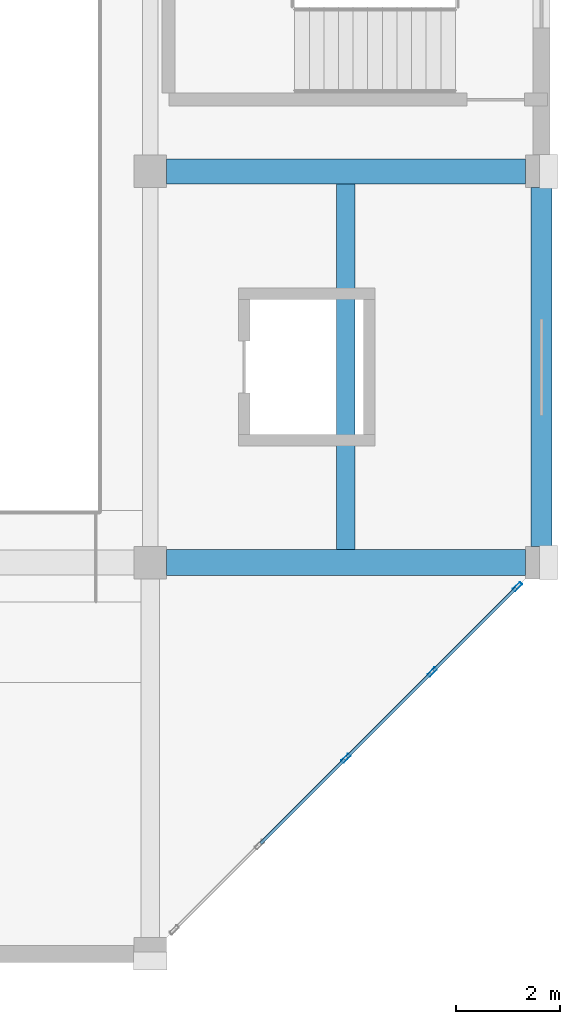
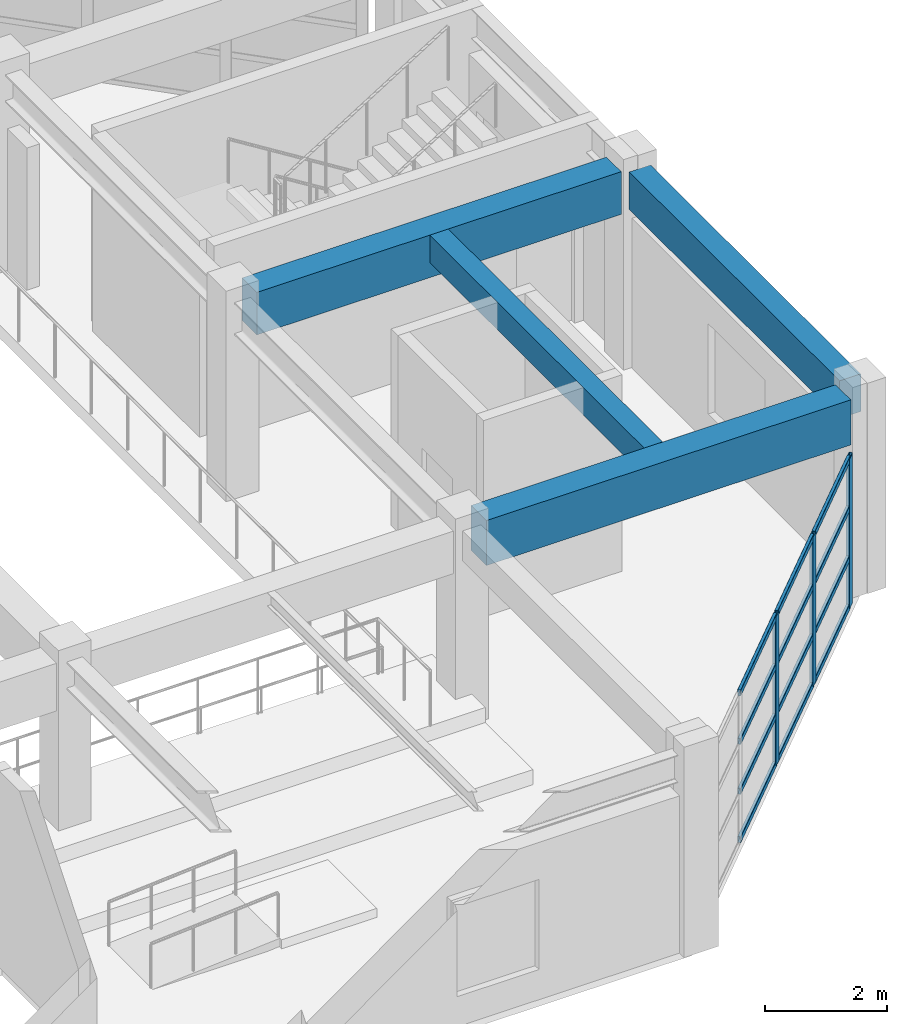
# One storey, part 71 of 132: 15 members, 4 beams, 1 element without a shape of its own.
"""IFC4 building model written with IfcOpenShell, lengths in metres."""

import ifcopenshell
import ifcopenshell.guid

model = None  # the IFC model being written
_history = None  # IfcOwnerHistory: only IFC2X3 demands one
_inside = {}  # id of a spatial element -> (the spatial element, [elements in it])
_under = {}  # id of a project, library or spatial element -> (it, [spatial elements below it])
_declared = {}  # id of a project -> (the project, [libraries it declares])
_typed = {}  # id of a type object -> (the type object, [elements of that type])
_made_of = {}  # id of a material, layer set ... -> (it, [elements and type objects made of it])


def new_model(schema):
    """Start an empty IFC model of exactly this schema.

    Asked for "IFC4X3", IfcOpenShell would pick the latest addendum, in which some entities
    have other attributes; the version numbers below select the first issue.
    IFC2X3 requires an IfcOwnerHistory on every rooted entity: one is made here for all.
    """
    global model, _history
    if schema == "IFC4X3":
        model = ifcopenshell.file(schema_version=(4, 3, 0, 0))
    else:
        model = ifcopenshell.file(schema=schema)
    _inside.clear()
    _under.clear()
    _declared.clear()
    _typed.clear()
    _made_of.clear()
    _history = None
    if model.schema == "IFC2X3":
        org = make("IfcOrganization", Name="unknown")
        user = make(
            "IfcPersonAndOrganization",
            ThePerson=make("IfcPerson", FamilyName="unknown"),
            TheOrganization=org,
        )
        app = make(
            "IfcApplication",
            ApplicationDeveloper=org,
            Version="unknown",
            ApplicationFullName="unknown",
            ApplicationIdentifier="unknown",
        )
        _history = make(
            "IfcOwnerHistory",
            OwningUser=user,
            OwningApplication=app,
            ChangeAction="ADDED",
            CreationDate=0,
        )
    return model


def make(cls, **values):
    """One entity of the class cls with the attributes given. An attribute that is None is left unset."""
    return model.create_entity(
        cls, **{name: value for name, value in values.items() if value is not None}
    )


def rooted(cls, **values):
    """An entity with a GlobalId (a new one), such as an element, a storey or a relation."""
    return make(cls, GlobalId=ifcopenshell.guid.new(), OwnerHistory=_history, **values)


def si_unit(unit_type, name, prefix=None):
    """IfcSIUnit, for example si_unit("LENGTHUNIT", "METRE", prefix="MILLI")."""
    return make("IfcSIUnit", UnitType=unit_type, Prefix=prefix, Name=name)


def assignment(units):
    """IfcUnitAssignment: the units of a project."""
    return None if units is None else make("IfcUnitAssignment", Units=units)


def point(xyz):
    """IfcCartesianPoint."""
    return None if xyz is None else make("IfcCartesianPoint", Coordinates=xyz)


def direction(xyz):
    """IfcDirection."""
    return None if xyz is None else make("IfcDirection", DirectionRatios=xyz)


def frame(location, z_axis=None, x_axis=None):
    """IfcAxis2Placement3D, a coordinate frame: its origin and axes. An axis left out is left unset."""
    return make(
        "IfcAxis2Placement3D",
        Location=point(location),
        Axis=direction(z_axis),
        RefDirection=direction(x_axis),
    )


def frame_2d(location, x_axis=None):
    """IfcAxis2Placement2D, a coordinate frame in the plane: its origin and x axis."""
    return make(
        "IfcAxis2Placement2D", Location=point(location), RefDirection=direction(x_axis)
    )


def origin():
    """The frame at (0, 0, 0) with its axes left unset."""
    return frame((0.0, 0.0, 0.0))


def origin_2d():
    """The frame at (0, 0) in the plane with its x axis left unset."""
    return frame_2d((0.0, 0.0))


def place(relative_to, where):
    """IfcLocalPlacement: puts the frame where relative to a parent placement (None: the world)."""
    return make(
        "IfcLocalPlacement", PlacementRelTo=relative_to, RelativePlacement=where
    )


def context(
    kind, dimensions, precision=None, world=None, true_north=None, identifier=None
):
    """IfcGeometricRepresentationContext, for example the 3D "Model" context."""
    return make(
        "IfcGeometricRepresentationContext",
        ContextIdentifier=identifier,
        ContextType=kind,
        CoordinateSpaceDimension=dimensions,
        Precision=precision,
        WorldCoordinateSystem=world,
        TrueNorth=true_north,
    )


def subcontext(parent, identifier, kind, view, scale=None):
    """IfcGeometricRepresentationSubContext, for example "Body" below "Model"."""
    return make(
        "IfcGeometricRepresentationSubContext",
        ContextIdentifier=identifier,
        ContextType=kind,
        ParentContext=parent,
        TargetScale=scale,
        TargetView=view,
    )


def project(units=None, contexts=None):
    """IfcProject with its units and contexts."""
    return rooted(
        "IfcProject",
        Name="project",
        RepresentationContexts=contexts,
        UnitsInContext=assignment(units),
    )


def spatial(cls, under=None, at=None, **own):
    """A site, building, storey or space (cls), placed at a placement, below another one or the project."""
    s = rooted(cls, ObjectPlacement=at, **own)
    if under is not None:
        _under.setdefault(under.id(), (under, []))[1].append(s)
    return s


def profile(cls, at=None, kind="AREA", **sizes):
    """A parametric profile (cls). Its sizes go by their IFC names, for example OverallWidth=200.0."""
    return make(cls, ProfileType=kind, Position=at, **sizes)


def rectangle(**sizes):
    """IfcRectangleProfileDef."""
    return profile("IfcRectangleProfileDef", **sizes)


def hollow_rectangle(**sizes):
    """IfcRectangleHollowProfileDef."""
    return profile("IfcRectangleHollowProfileDef", **sizes)


def extrude(swept, where, along, depth):
    """IfcExtrudedAreaSolid: the profile swept, set in the frame where, extruded along a direction by depth."""
    return make(
        "IfcExtrudedAreaSolid",
        SweptArea=swept,
        Position=where,
        ExtrudedDirection=direction(along),
        Depth=depth,
    )


def shape(context_of_items, identifier, shape_type, items):
    """IfcShapeRepresentation: the items that make up one representation, for example the "Body"."""
    return make(
        "IfcShapeRepresentation",
        ContextOfItems=context_of_items,
        RepresentationIdentifier=identifier,
        RepresentationType=shape_type,
        Items=items,
    )


def material(Name=None, Category=None):
    """IfcMaterial."""
    return make("IfcMaterial", Name=Name, Category=Category)


def material_profile(
    of_material, cross_section, Name=None, Category=None, Priority=None
):
    """IfcMaterialProfile: a cross section and its material."""
    return make(
        "IfcMaterialProfile",
        Name=Name,
        Material=of_material,
        Profile=cross_section,
        Priority=Priority,
        Category=Category,
    )


def profile_set(profiles, Name=None, composite=None):
    """IfcMaterialProfileSet."""
    return make(
        "IfcMaterialProfileSet",
        Name=Name,
        MaterialProfiles=profiles,
        CompositeProfile=composite,
    )


def made_of(thing, what):
    """Note that an element or type object is made of a material, layer set ...; save() writes the relation."""
    if what is not None:
        _made_of.setdefault(what.id(), (what, []))[1].append(thing)
    return thing


def type_object(cls, material=None, **own):
    """A type object (cls), such as IfcWallType, which elements share."""
    return made_of(rooted(cls, **own), material)


def element(
    cls,
    number,
    at=None,
    inside=None,
    cuts=None,
    type_object=None,
    material=None,
    context=None,
    identifier="Body",
    shape_type=None,
    held_by="IfcProductDefinitionShape",
    body=None,
    shapes=None,
    **own,
):
    """One element of the class cls, such as IfcWall. Its Tag is "e" and its number.

    at: its placement. inside: the storey or other place that contains it. cuts: it is an
    opening in that element (IfcRelVoidsElement). A single representation is given by context,
    identifier, shape_type and body (its items); several are given by shapes. held_by: the class
    of the entity that holds the representations. save() writes the other relations.
    """
    e = rooted(cls, Tag="e%d" % number, ObjectPlacement=at, **own)
    if body is not None:
        shapes = [shape(context, identifier, shape_type, body)]
    if shapes is not None:
        e.Representation = make(held_by, Representations=shapes)
    if inside is not None:
        _inside.setdefault(inside.id(), (inside, []))[1].append(e)
    if cuts is not None:
        rooted(
            "IfcRelVoidsElement", RelatingBuildingElement=cuts, RelatedOpeningElement=e
        )
    if type_object is not None:
        _typed.setdefault(type_object.id(), (type_object, []))[1].append(e)
    return made_of(e, material)


def aggregate(whole, parts):
    """IfcRelAggregates: a whole, such as a stair, and the parts it consists of."""
    return rooted("IfcRelAggregates", RelatingObject=whole, RelatedObjects=parts)


def save(model, path):
    """Write the relations noted so far, then the file.

    IfcRelAggregates (storeys below a building ...), IfcRelContainedInSpatialStructure (elements
    in a storey), IfcRelDefinesByType, IfcRelAssociatesMaterial and IfcRelDeclares: one each for
    every whole, place, type object, material and project.
    """
    for whole, parts in _under.values():
        aggregate(whole, parts)
    for where, things in _inside.values():
        rooted(
            "IfcRelContainedInSpatialStructure",
            RelatedElements=things,
            RelatingStructure=where,
        )
    for kind, things in _typed.values():
        rooted("IfcRelDefinesByType", RelatedObjects=things, RelatingType=kind)
    for what, things in _made_of.values():
        rooted("IfcRelAssociatesMaterial", RelatedObjects=things, RelatingMaterial=what)
    for by, libraries in _declared.values():
        rooted("IfcRelDeclares", RelatingContext=by, RelatedDefinitions=libraries)
    model.write(path)


model = new_model("IFC4")

# Units and contexts
model_context = context("Model", 3, precision=1e-05, world=origin(), true_north=direction((0.0, 1.0)))
body_context = subcontext(model_context, "Body", "Model", "MODEL_VIEW")
ifc_project = project(units=[si_unit("LENGTHUNIT", "METRE"), si_unit("AREAUNIT", "SQUARE_METRE"), si_unit("VOLUMEUNIT", "CUBIC_METRE"), si_unit("PLANEANGLEUNIT", "RADIAN"), si_unit("MASSUNIT", "GRAM", prefix="KILO")], contexts=[model_context])

# Site, building, storey
site_placement = place(None, origin())
site = spatial("IfcSite", under=ifc_project, at=site_placement, CompositionType="ELEMENT")
building_placement = place(site_placement, origin())
building = spatial("IfcBuilding", under=site, at=building_placement, Name="Qasida Concert Hall", CompositionType="ELEMENT")
storey_placement = place(building_placement, frame((0.0, 0.0, 4.800048828125)))
storey = spatial("IfcBuildingStorey", under=building, at=storey_placement, Name="L01", CompositionType="ELEMENT", Elevation=4.800048828125)

# Beams
ifc_material_1 = material(Name="Concrete C40/50", Category="concrete")
ifc_material_profile_1 = material_profile(ifc_material_1, rectangle(XDim=0.5, YDim=0.89990234375, at=origin_2d()), Name="RC 500x900")
ifc_profile_set_1 = profile_set([ifc_material_profile_1], Name="Concrete C40/50")
beam_type_1 = type_object("IfcBeamType", Name="BM-G1", PredefinedType="USERDEFINED", material=ifc_profile_set_1)
beam_1_placement = place(storey_placement, frame((157.81005859375, 7.5, 3.469970703125), z_axis=(1.0, 0.0, 0.0), x_axis=(0.0, 1.0, 0.0)))
element("IfcBeam", 1, at=beam_1_placement, inside=storey, type_object=beam_type_1, Name="Primary girder 0859", ObjectType="GIRDER", PredefinedType="USERDEFINED", context=body_context, shape_type="SweptSolid", body=[
    extrude(rectangle(XDim=0.5, YDim=0.89990234375, at=origin_2d()), origin(), (0.0, 0.0, 1.0), 6.8798828125),
])
ifc_material_profile_2 = material_profile(ifc_material_1, rectangle(XDim=0.47998046875, YDim=0.85009765625, at=origin_2d()), Name="RC 480x850")
ifc_profile_set_2 = profile_set([ifc_material_profile_2], Name="Concrete C40/50")
beam_type_2 = type_object("IfcBeamType", Name="BM-G6", PredefinedType="USERDEFINED", material=ifc_profile_set_2)
beam_2_placement = place(storey_placement, frame((157.81005859375, 15.0, 3.494873046875), z_axis=(1.0, 0.0, 0.0), x_axis=(0.0, 1.0, 0.0)))
element("IfcBeam", 2, at=beam_2_placement, inside=storey, type_object=beam_type_2, Name="Primary girder 0861", ObjectType="GIRDER", PredefinedType="USERDEFINED", context=body_context, shape_type="SweptSolid", body=[
    extrude(rectangle(XDim=0.47998046875, YDim=0.85009765625, at=origin_2d()), origin(), (0.0, 0.0, 1.0), 6.8798828125),
])
ifc_material_profile_3 = material_profile(ifc_material_1, rectangle(XDim=0.35009765625, YDim=0.550048828125, at=origin_2d()), Name="RC 350x550")
ifc_profile_set_3 = profile_set([ifc_material_profile_3], Name="Concrete C40/50")
beam_type_3 = type_object("IfcBeamType", Name="BM-J8", PredefinedType="JOIST", material=ifc_profile_set_3)
beam_3_placement = place(storey_placement, frame((161.25, 7.75, 3.64501953125), z_axis=(0.0, 1.0, 0.0), x_axis=(-1.0, 0.0, 0.0)))
element("IfcBeam", 3, at=beam_3_placement, inside=storey, type_object=beam_type_3, Name="L01 secondary joist 0895", PredefinedType="JOIST", context=body_context, shape_type="SweptSolid", body=[
    extrude(rectangle(XDim=0.35009765625, YDim=0.550048828125, at=origin_2d()), origin(), (0.0, 0.0, 1.0), 7.010009765625),
])
ifc_material_profile_4 = material_profile(ifc_material_1, rectangle(XDim=0.39990234375, YDim=0.75, at=origin_2d()), Name="RC 400x750")
ifc_profile_set_4 = profile_set([ifc_material_profile_4], Name="Concrete C40/50")
beam_type_4 = type_object("IfcBeamType", Name="BM-SP1", PredefinedType="SPANDREL", material=ifc_profile_set_4)
beam_4_placement = place(storey_placement, frame((165.0, 7.81005859375, 3.544921875), z_axis=(0.0, 1.0, 0.0), x_axis=(-1.0, 0.0, 0.0)))
element("IfcBeam", 4, at=beam_4_placement, inside=storey, type_object=beam_type_4, Name="L01 girder 0886", PredefinedType="SPANDREL", context=body_context, shape_type="SweptSolid", body=[
    extrude(rectangle(XDim=0.39990234375, YDim=0.75, at=origin_2d()), origin(), (0.0, 0.0, 1.0), 6.8798828125),
])

# Curtain wall, members
ifc_material_2 = material(Name="Architectural bronze-anodized aluminium and low-E glass", Category="aluminium")
curtain_wall_type = type_object("IfcCurtainWallType", Name="CW-07", PredefinedType="NOTDEFINED", material=ifc_material_2)
curtain_wall_placement = place(storey_placement, origin())
curtain_wall = element("IfcCurtainWall", 5, at=curtain_wall_placement, inside=storey, type_object=curtain_wall_type, Name="L01 curtain wall CW-07 0143", PredefinedType="NOTDEFINED")
ifc_material_3 = material(Name="Architectural bronze-anodized aluminium EN AW-6063", Category="aluminium")
ifc_material_profile_5 = material_profile(ifc_material_3, hollow_rectangle(XDim=0.06494140625, YDim=0.199951171875, WallThickness=0.0048828125, InnerFilletRadius=0.0048828125, OuterFilletRadius=0.010009765625, at=origin_2d()), Name="CWM 200x65x5")
ifc_profile_set_5 = profile_set([ifc_material_profile_5], Name="Architectural bronze-anodized aluminium EN AW-6063")
member_type_1 = type_object("IfcMemberType", Name="MB-CWM-2", PredefinedType="MULLION", material=ifc_profile_set_5)
member_1_placement = place(storey_placement, frame((161.25, 3.75, 0.0), z_axis=(0.0, 0.0, 1.0), x_axis=(-0.707106781187, 0.707106781187, 0.0)))
member_1 = element("IfcMember", 6, at=member_1_placement, type_object=member_type_1, Name="CW-07 mullion 3", PredefinedType="MULLION", context=body_context, shape_type="SweptSolid", body=[
    extrude(hollow_rectangle(XDim=0.06494140625, YDim=0.199951171875, WallThickness=0.0048828125, InnerFilletRadius=0.0048828125, OuterFilletRadius=0.010009765625, at=origin_2d()), origin(), (0.0, 0.0, 1.0), 2.989990234375),
])
member_2_placement = place(storey_placement, frame((162.90576171875, 5.40576171875, 0.0), z_axis=(0.0, 0.0, 1.0), x_axis=(-0.707106781187, 0.707106781187, 0.0)))
member_2 = element("IfcMember", 7, at=member_2_placement, type_object=member_type_1, Name="CW-07 mullion 4", PredefinedType="MULLION", context=body_context, shape_type="SweptSolid", body=[
    extrude(hollow_rectangle(XDim=0.06494140625, YDim=0.199951171875, WallThickness=0.0048828125, InnerFilletRadius=0.0048828125, OuterFilletRadius=0.010009765625, at=origin_2d()), origin(), (0.0, 0.0, 1.0), 2.989990234375),
])
member_3_placement = place(storey_placement, frame((164.53857421875, 7.03857421875, 0.0), z_axis=(0.0, 0.0, 1.0), x_axis=(-0.707106781187, 0.707106781187, 0.0)))
member_3 = element("IfcMember", 8, at=member_3_placement, type_object=member_type_1, Name="CW-07 mullion 5", PredefinedType="MULLION", context=body_context, shape_type="SweptSolid", body=[
    extrude(hollow_rectangle(XDim=0.06494140625, YDim=0.199951171875, WallThickness=0.0048828125, InnerFilletRadius=0.0048828125, OuterFilletRadius=0.010009765625, at=origin_2d()), origin(), (0.0, 0.0, 1.0), 2.989990234375),
])
ifc_material_profile_6 = material_profile(ifc_material_3, hollow_rectangle(XDim=0.06005859375, YDim=0.1201171875, WallThickness=0.00390625, InnerFilletRadius=0.00390625, OuterFilletRadius=0.008056640625, at=origin_2d()), Name="CWT 120x60x4")
ifc_profile_set_6 = profile_set([ifc_material_profile_6], Name="Architectural bronze-anodized aluminium EN AW-6063")
member_type_2 = type_object("IfcMemberType", Name="MB-CWT-2", PredefinedType="USERDEFINED", material=ifc_profile_set_6)
member_4_placement = place(storey_placement, frame((159.6171875, 2.1171875, 0.030029296875), z_axis=(0.707106781187, 0.707106781187, 0.0), x_axis=(-0.707106781187, 0.707106781187, 0.0)))
member_4 = element("IfcMember", 9, at=member_4_placement, type_object=member_type_2, Name="CW-07 transom 2.1", ObjectType="TRANSOM", PredefinedType="USERDEFINED", context=body_context, shape_type="SweptSolid", body=[
    extrude(hollow_rectangle(XDim=0.06005859375, YDim=0.1201171875, WallThickness=0.00390625, InnerFilletRadius=0.00390625, OuterFilletRadius=0.008056640625, at=origin_2d()), origin(), (0.0, 0.0, 1.0), 2.276611328125),
])
member_5_placement = place(storey_placement, frame((159.6171875, 2.1171875, 0.99658203125), z_axis=(0.707106781187, 0.707106781187, 0.0), x_axis=(-0.707106781187, 0.707106781187, 0.0)))
member_5 = element("IfcMember", 10, at=member_5_placement, type_object=member_type_2, Name="CW-07 transom 2.2", ObjectType="TRANSOM", PredefinedType="USERDEFINED", context=body_context, shape_type="SweptSolid", body=[
    extrude(hollow_rectangle(XDim=0.06005859375, YDim=0.1201171875, WallThickness=0.00390625, InnerFilletRadius=0.00390625, OuterFilletRadius=0.008056640625, at=origin_2d()), origin(), (0.0, 0.0, 1.0), 2.276611328125),
])
member_6_placement = place(storey_placement, frame((159.6171875, 2.1171875, 1.9931640625), z_axis=(0.707106781187, 0.707106781187, 0.0), x_axis=(-0.707106781187, 0.707106781187, 0.0)))
member_6 = element("IfcMember", 11, at=member_6_placement, type_object=member_type_2, Name="CW-07 transom 2.3", ObjectType="TRANSOM", PredefinedType="USERDEFINED", context=body_context, shape_type="SweptSolid", body=[
    extrude(hollow_rectangle(XDim=0.06005859375, YDim=0.1201171875, WallThickness=0.00390625, InnerFilletRadius=0.00390625, OuterFilletRadius=0.008056640625, at=origin_2d()), origin(), (0.0, 0.0, 1.0), 2.276611328125),
])
member_7_placement = place(storey_placement, frame((159.6171875, 2.1171875, 2.9599609375), z_axis=(0.707106781187, 0.707106781187, 0.0), x_axis=(-0.707106781187, 0.707106781187, 0.0)))
member_7 = element("IfcMember", 12, at=member_7_placement, type_object=member_type_2, Name="CW-07 transom 2.4", ObjectType="TRANSOM", PredefinedType="USERDEFINED", context=body_context, shape_type="SweptSolid", body=[
    extrude(hollow_rectangle(XDim=0.06005859375, YDim=0.1201171875, WallThickness=0.00390625, InnerFilletRadius=0.00390625, OuterFilletRadius=0.008056640625, at=origin_2d()), origin(), (0.0, 0.0, 1.0), 2.276611328125),
])
member_8_placement = place(storey_placement, frame((161.27294921875, 3.77294921875, 0.030029296875), z_axis=(0.707106781187, 0.707106781187, 0.0), x_axis=(-0.707106781187, 0.707106781187, 0.0)))
member_8 = element("IfcMember", 13, at=member_8_placement, type_object=member_type_2, Name="CW-07 transom 3.1", ObjectType="TRANSOM", PredefinedType="USERDEFINED", context=body_context, shape_type="SweptSolid", body=[
    extrude(hollow_rectangle(XDim=0.06005859375, YDim=0.1201171875, WallThickness=0.00390625, InnerFilletRadius=0.00390625, OuterFilletRadius=0.008056640625, at=origin_2d()), origin(), (0.0, 0.0, 1.0), 2.276611328125),
])
member_9_placement = place(storey_placement, frame((161.27294921875, 3.77294921875, 0.99658203125), z_axis=(0.707106781187, 0.707106781187, 0.0), x_axis=(-0.707106781187, 0.707106781187, 0.0)))
member_9 = element("IfcMember", 14, at=member_9_placement, type_object=member_type_2, Name="CW-07 transom 3.2", ObjectType="TRANSOM", PredefinedType="USERDEFINED", context=body_context, shape_type="SweptSolid", body=[
    extrude(hollow_rectangle(XDim=0.06005859375, YDim=0.1201171875, WallThickness=0.00390625, InnerFilletRadius=0.00390625, OuterFilletRadius=0.008056640625, at=origin_2d()), origin(), (0.0, 0.0, 1.0), 2.276611328125),
])
member_10_placement = place(storey_placement, frame((161.27294921875, 3.77294921875, 1.9931640625), z_axis=(0.707106781187, 0.707106781187, 0.0), x_axis=(-0.707106781187, 0.707106781187, 0.0)))
member_10 = element("IfcMember", 15, at=member_10_placement, type_object=member_type_2, Name="CW-07 transom 3.3", ObjectType="TRANSOM", PredefinedType="USERDEFINED", context=body_context, shape_type="SweptSolid", body=[
    extrude(hollow_rectangle(XDim=0.06005859375, YDim=0.1201171875, WallThickness=0.00390625, InnerFilletRadius=0.00390625, OuterFilletRadius=0.008056640625, at=origin_2d()), origin(), (0.0, 0.0, 1.0), 2.276611328125),
])
member_11_placement = place(storey_placement, frame((161.27294921875, 3.77294921875, 2.9599609375), z_axis=(0.707106781187, 0.707106781187, 0.0), x_axis=(-0.707106781187, 0.707106781187, 0.0)))
member_11 = element("IfcMember", 16, at=member_11_placement, type_object=member_type_2, Name="CW-07 transom 3.4", ObjectType="TRANSOM", PredefinedType="USERDEFINED", context=body_context, shape_type="SweptSolid", body=[
    extrude(hollow_rectangle(XDim=0.06005859375, YDim=0.1201171875, WallThickness=0.00390625, InnerFilletRadius=0.00390625, OuterFilletRadius=0.008056640625, at=origin_2d()), origin(), (0.0, 0.0, 1.0), 2.276611328125),
])
member_12_placement = place(storey_placement, frame((162.9287109375, 5.4287109375, 0.030029296875), z_axis=(0.707106781187, 0.707106781187, 0.0), x_axis=(-0.707106781187, 0.707106781187, 0.0)))
member_12 = element("IfcMember", 17, at=member_12_placement, type_object=member_type_2, Name="CW-07 transom 4.1", ObjectType="TRANSOM", PredefinedType="USERDEFINED", context=body_context, shape_type="SweptSolid", body=[
    extrude(hollow_rectangle(XDim=0.06005859375, YDim=0.1201171875, WallThickness=0.00390625, InnerFilletRadius=0.00390625, OuterFilletRadius=0.008056640625, at=origin_2d()), origin(), (0.0, 0.0, 1.0), 2.244140625),
])
member_13_placement = place(storey_placement, frame((162.9287109375, 5.4287109375, 0.99658203125), z_axis=(0.707106781187, 0.707106781187, 0.0), x_axis=(-0.707106781187, 0.707106781187, 0.0)))
member_13 = element("IfcMember", 18, at=member_13_placement, type_object=member_type_2, Name="CW-07 transom 4.2", ObjectType="TRANSOM", PredefinedType="USERDEFINED", context=body_context, shape_type="SweptSolid", body=[
    extrude(hollow_rectangle(XDim=0.06005859375, YDim=0.1201171875, WallThickness=0.00390625, InnerFilletRadius=0.00390625, OuterFilletRadius=0.008056640625, at=origin_2d()), origin(), (0.0, 0.0, 1.0), 2.244140625),
])
member_14_placement = place(storey_placement, frame((162.9287109375, 5.4287109375, 1.9931640625), z_axis=(0.707106781187, 0.707106781187, 0.0), x_axis=(-0.707106781187, 0.707106781187, 0.0)))
member_14 = element("IfcMember", 19, at=member_14_placement, type_object=member_type_2, Name="CW-07 transom 4.3", ObjectType="TRANSOM", PredefinedType="USERDEFINED", context=body_context, shape_type="SweptSolid", body=[
    extrude(hollow_rectangle(XDim=0.06005859375, YDim=0.1201171875, WallThickness=0.00390625, InnerFilletRadius=0.00390625, OuterFilletRadius=0.008056640625, at=origin_2d()), origin(), (0.0, 0.0, 1.0), 2.244140625),
])
member_15_placement = place(storey_placement, frame((162.9287109375, 5.4287109375, 2.9599609375), z_axis=(0.707106781187, 0.707106781187, 0.0), x_axis=(-0.707106781187, 0.707106781187, 0.0)))
member_15 = element("IfcMember", 20, at=member_15_placement, type_object=member_type_2, Name="CW-07 transom 4.4", ObjectType="TRANSOM", PredefinedType="USERDEFINED", context=body_context, shape_type="SweptSolid", body=[
    extrude(hollow_rectangle(XDim=0.06005859375, YDim=0.1201171875, WallThickness=0.00390625, InnerFilletRadius=0.00390625, OuterFilletRadius=0.008056640625, at=origin_2d()), origin(), (0.0, 0.0, 1.0), 2.244140625),
])
aggregate(curtain_wall, [member_1, member_2, member_3, member_4, member_5, member_6, member_7, member_8, member_9, member_10, member_11, member_12, member_13, member_14, member_15])

save(model, "model.ifc")
